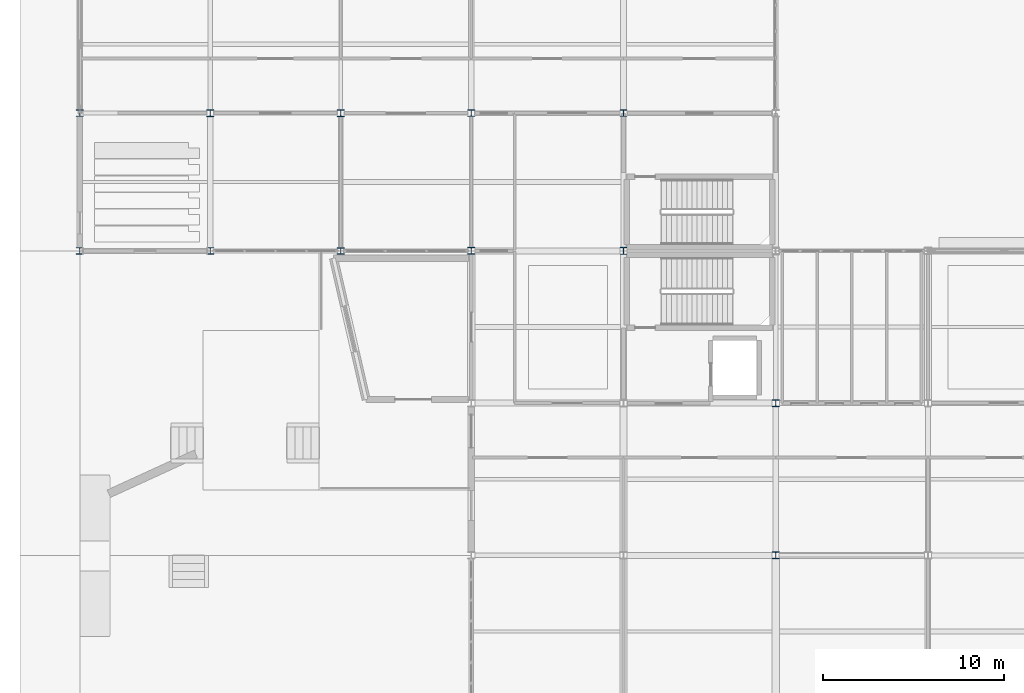
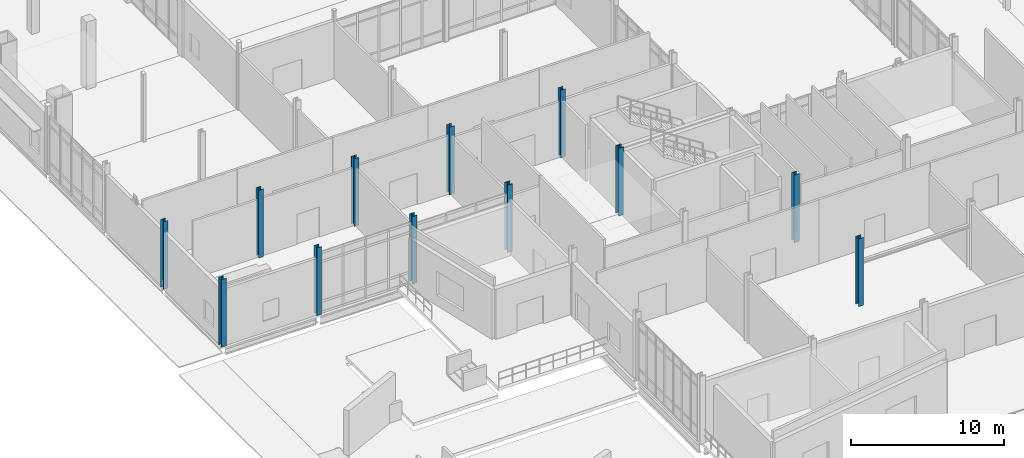
# One storey, part 2 of 229: 12 columns.
"""IFC4 building model written with IfcOpenShell, lengths in metres."""

from ifc_helpers import new_model, si_unit, direction, frame, origin, origin_2d, place, context, subcontext, project, spatial, i_section, extrude, material, material_profile, profile_set, type_object, element, save


model = new_model("IFC4")

# Units and contexts
model_context = context("Model", 3, precision=1e-05, world=origin(), true_north=direction((0.0, 1.0)))
body_context = subcontext(model_context, "Body", "Model", "MODEL_VIEW")
ifc_project = project(units=[si_unit("LENGTHUNIT", "METRE"), si_unit("AREAUNIT", "SQUARE_METRE"), si_unit("VOLUMEUNIT", "CUBIC_METRE"), si_unit("PLANEANGLEUNIT", "RADIAN"), si_unit("MASSUNIT", "GRAM", prefix="KILO")], contexts=[model_context])

# Site, building, storey
site_placement = place(None, origin())
site = spatial("IfcSite", under=ifc_project, at=site_placement, CompositionType="ELEMENT")
building_placement = place(site_placement, origin())
building = spatial("IfcBuilding", under=site, at=building_placement, Name="Calvrana Isthmian Art Gallery", CompositionType="ELEMENT")
storey_placement = place(building_placement, origin())
storey = spatial("IfcBuildingStorey", under=building, at=storey_placement, Name="L00", CompositionType="ELEMENT", Elevation=0.0)

# Columns
ifc_material = material(Name="Steel ASTM A992 Gr 50", Category="steel")
ifc_material_profile_1 = material_profile(ifc_material, i_section(OverallWidth=0.37109375, OverallDepth=0.363037109375, WebThickness=0.01318359375, FlangeThickness=0.021728515625, FilletRadius=0.02490234375, at=origin_2d()), Name="W14X109")
ifc_profile_set_1 = profile_set([ifc_material_profile_1], Name="Steel ASTM A992 Gr 50")
column_type_1 = type_object("IfcColumnType", Name="COL-STL-W14X109", PredefinedType="COLUMN", material=ifc_profile_set_1)
for number, where, z_axis, x_axis, name in (
    (1, (14.39990234375, 46.800048828125, 0.0), (0.0, 0.0, 1.0), (1.0, 0.0, 0.0), "Column 03/G L00"),
    (2, (21.60009765625, 54.39990234375, 0.0), (0.0, 0.0, 1.0), (1.0, 0.0, 0.0), "Column 04/H L00"),
):
    element("IfcColumn", number, at=place(storey_placement, frame(where, z_axis=z_axis, x_axis=x_axis)), inside=storey, type_object=column_type_1, Name=name, PredefinedType="COLUMN", context=body_context, shape_type="SweptSolid", body=[
        extrude(i_section(OverallWidth=0.37109375, OverallDepth=0.363037109375, WebThickness=0.01318359375, FlangeThickness=0.021728515625, FilletRadius=0.02490234375, at=origin_2d()), origin(), (0.0, 0.0, 1.0), 5.39990234375),
    ])
ifc_material_profile_2 = material_profile(ifc_material, i_section(OverallWidth=0.373046875, OverallDepth=0.367919921875, WebThickness=0.014892578125, FlangeThickness=0.02392578125, FilletRadius=0.02490234375, at=origin_2d()), Name="W14X120")
ifc_profile_set_2 = profile_set([ifc_material_profile_2], Name="Steel ASTM A992 Gr 50")
column_type_2 = type_object("IfcColumnType", Name="COL-STL-W14X120", PredefinedType="COLUMN", material=ifc_profile_set_2)
for number, where, z_axis, x_axis, name in (
    (3, (7.199951171875, 46.800048828125, 0.0), (0.0, 0.0, 1.0), (1.0, 0.0, 0.0), "Column 02/G L00"),
    (4, (14.39990234375, 54.39990234375, 0.0), (0.0, 0.0, 1.0), (1.0, 0.0, 0.0), "Column 03/H L00"),
):
    element("IfcColumn", number, at=place(storey_placement, frame(where, z_axis=z_axis, x_axis=x_axis)), inside=storey, type_object=column_type_2, Name=name, PredefinedType="COLUMN", context=body_context, shape_type="SweptSolid", body=[
        extrude(i_section(OverallWidth=0.373046875, OverallDepth=0.367919921875, WebThickness=0.014892578125, FlangeThickness=0.02392578125, FilletRadius=0.02490234375, at=origin_2d()), origin(), (0.0, 0.0, 1.0), 5.39990234375),
    ])
ifc_material_profile_3 = material_profile(ifc_material, i_section(OverallWidth=0.373046875, OverallDepth=0.373046875, WebThickness=0.016357421875, FlangeThickness=0.026123046875, FilletRadius=0.02490234375, at=origin_2d()), Name="W14X132")
ifc_profile_set_3 = profile_set([ifc_material_profile_3], Name="Steel ASTM A992 Gr 50")
column_type_3 = type_object("IfcColumnType", Name="COL-STL-W14X132", PredefinedType="COLUMN", material=ifc_profile_set_3)
for number, where, z_axis, x_axis, name in (
    (5, (0.0, 46.800048828125, 0.0), (0.0, 0.0, 1.0), (1.0, 0.0, 0.0), "Column 01/G L00"),
    (6, (7.199951171875, 54.39990234375, 0.0), (0.0, 0.0, 1.0), (1.0, 0.0, 0.0), "Column 02/H L00"),
    (7, (38.39990234375, 30.0, 0.0), (0.0, 0.0, 1.0), (1.0, 0.0, 0.0), "Column 06/E L00"),
):
    element("IfcColumn", number, at=place(storey_placement, frame(where, z_axis=z_axis, x_axis=x_axis)), inside=storey, type_object=column_type_3, Name=name, PredefinedType="COLUMN", context=body_context, shape_type="SweptSolid", body=[
        extrude(i_section(OverallWidth=0.373046875, OverallDepth=0.373046875, WebThickness=0.016357421875, FlangeThickness=0.026123046875, FilletRadius=0.02490234375, at=origin_2d()), origin(), (0.0, 0.0, 1.0), 5.39990234375),
    ])
ifc_material_profile_4 = material_profile(ifc_material, i_section(OverallWidth=0.39404296875, OverallDepth=0.3759765625, WebThickness=0.017333984375, FlangeThickness=0.027587890625, FilletRadius=0.02490234375, at=origin_2d()), Name="W14X145")
ifc_profile_set_4 = profile_set([ifc_material_profile_4], Name="Steel ASTM A992 Gr 50")
column_type_4 = type_object("IfcColumnType", Name="COL-STL-W14X145", PredefinedType="COLUMN", material=ifc_profile_set_4)
column_1_placement = place(storey_placement, frame((38.39990234375, 38.39990234375, 0.0), z_axis=(0.0, 0.0, 1.0), x_axis=(1.0, 0.0, 0.0)))
element("IfcColumn", 8, at=column_1_placement, inside=storey, type_object=column_type_4, Name="Column 06/F L00", PredefinedType="COLUMN", context=body_context, shape_type="SweptSolid", body=[
    extrude(i_section(OverallWidth=0.39404296875, OverallDepth=0.3759765625, WebThickness=0.017333984375, FlangeThickness=0.027587890625, FilletRadius=0.02490234375, at=origin_2d()), origin(), (0.0, 0.0, 1.0), 5.39990234375),
])
ifc_material_profile_5 = material_profile(ifc_material, i_section(OverallWidth=0.39892578125, OverallDepth=0.39404296875, WebThickness=0.022705078125, FlangeThickness=0.03662109375, FilletRadius=0.02490234375, at=origin_2d()), Name="W14X193")
ifc_profile_set_5 = profile_set([ifc_material_profile_5], Name="Steel ASTM A992 Gr 50")
column_type_5 = type_object("IfcColumnType", Name="COL-STL-W14X193", PredefinedType="COLUMN", material=ifc_profile_set_5)
column_2_placement = place(storey_placement, frame((21.60009765625, 46.800048828125, 0.0), z_axis=(0.0, 0.0, 1.0), x_axis=(1.0, 0.0, 0.0)))
element("IfcColumn", 9, at=column_2_placement, inside=storey, type_object=column_type_5, Name="Column 04/G L00", PredefinedType="COLUMN", context=body_context, shape_type="SweptSolid", body=[
    extrude(i_section(OverallWidth=0.39892578125, OverallDepth=0.39404296875, WebThickness=0.022705078125, FlangeThickness=0.03662109375, FilletRadius=0.02490234375, at=origin_2d()), origin(), (0.0, 0.0, 1.0), 5.39990234375),
])
ifc_material_profile_6 = material_profile(ifc_material, i_section(OverallWidth=0.406005859375, OverallDepth=0.4169921875, WebThickness=0.02978515625, FlangeThickness=0.048095703125, FilletRadius=0.02490234375, at=origin_2d()), Name="W14X257")
ifc_profile_set_6 = profile_set([ifc_material_profile_6], Name="Steel ASTM A992 Gr 50")
column_type_6 = type_object("IfcColumnType", Name="COL-STL-W14X257", PredefinedType="COLUMN", material=ifc_profile_set_6)
column_3_placement = place(storey_placement, frame((30.0, 46.800048828125, 0.0), z_axis=(0.0, 0.0, 1.0), x_axis=(1.0, 0.0, 0.0)))
element("IfcColumn", 10, at=column_3_placement, inside=storey, type_object=column_type_6, Name="Column 05/G L00", PredefinedType="COLUMN", context=body_context, shape_type="SweptSolid", body=[
    extrude(i_section(OverallWidth=0.406005859375, OverallDepth=0.4169921875, WebThickness=0.02978515625, FlangeThickness=0.048095703125, FilletRadius=0.02490234375, at=origin_2d()), origin(), (0.0, 0.0, 1.0), 5.39990234375),
])
ifc_material_profile_7 = material_profile(ifc_material, i_section(OverallWidth=0.367919921875, OverallDepth=0.35595703125, WebThickness=0.01123046875, FlangeThickness=0.01806640625, FilletRadius=0.02490234375, at=origin_2d()), Name="W14X90")
ifc_profile_set_7 = profile_set([ifc_material_profile_7], Name="Steel ASTM A992 Gr 50")
column_type_7 = type_object("IfcColumnType", Name="COL-STL-W14X90", PredefinedType="COLUMN", material=ifc_profile_set_7)
for number, where, z_axis, x_axis, name in (
    (11, (0.0, 54.39990234375, 0.0), (0.0, 0.0, 1.0), (1.0, 0.0, 0.0), "Column 01/H L00"),
    (12, (30.0, 54.39990234375, 0.0), (0.0, 0.0, 1.0), (1.0, 0.0, 0.0), "Column 05/H L00"),
):
    element("IfcColumn", number, at=place(storey_placement, frame(where, z_axis=z_axis, x_axis=x_axis)), inside=storey, type_object=column_type_7, Name=name, PredefinedType="COLUMN", context=body_context, shape_type="SweptSolid", body=[
        extrude(i_section(OverallWidth=0.367919921875, OverallDepth=0.35595703125, WebThickness=0.01123046875, FlangeThickness=0.01806640625, FilletRadius=0.02490234375, at=origin_2d()), origin(), (0.0, 0.0, 1.0), 5.39990234375),
    ])

save(model, "model.ifc")
